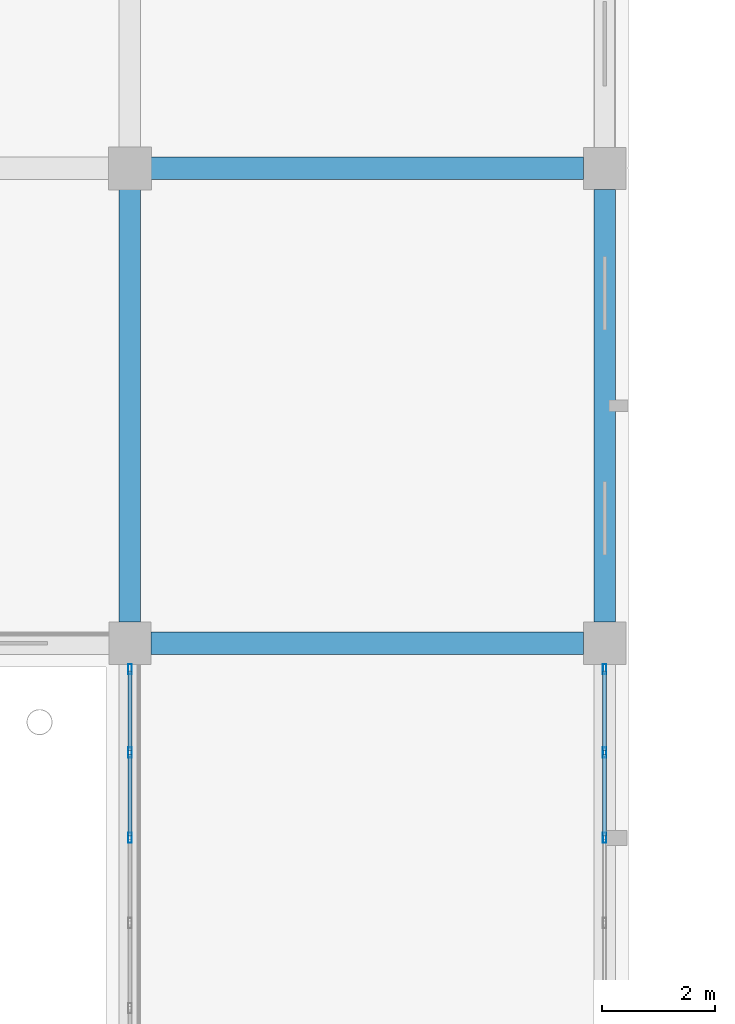
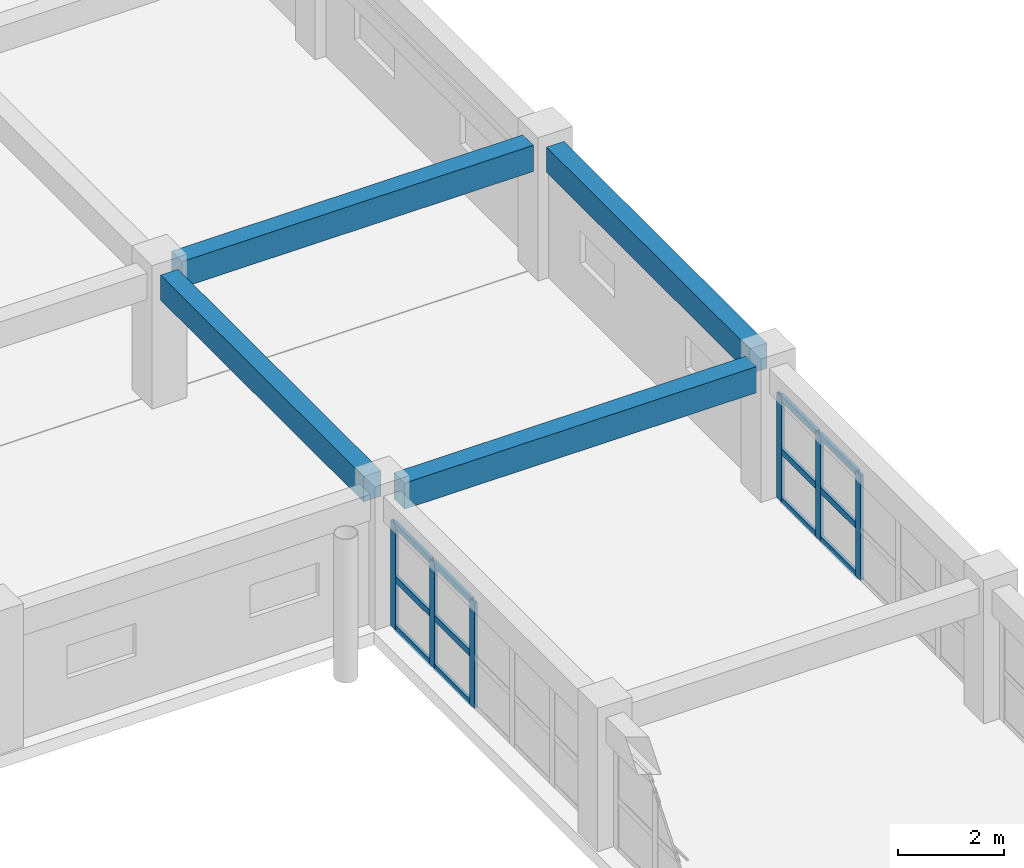
# One storey, part 143 of 200: 18 members, 4 beams, 2 elements without a shape of their own.
"""IFC4 building model written with IfcOpenShell, lengths in metres."""

import ifcopenshell
import ifcopenshell.guid

model = None  # the IFC model being written
_history = None  # IfcOwnerHistory: only IFC2X3 demands one
_inside = {}  # id of a spatial element -> (the spatial element, [elements in it])
_under = {}  # id of a project, library or spatial element -> (it, [spatial elements below it])
_declared = {}  # id of a project -> (the project, [libraries it declares])
_typed = {}  # id of a type object -> (the type object, [elements of that type])
_made_of = {}  # id of a material, layer set ... -> (it, [elements and type objects made of it])


def new_model(schema):
    """Start an empty IFC model of exactly this schema.

    Asked for "IFC4X3", IfcOpenShell would pick the latest addendum, in which some entities
    have other attributes; the version numbers below select the first issue.
    IFC2X3 requires an IfcOwnerHistory on every rooted entity: one is made here for all.
    """
    global model, _history
    if schema == "IFC4X3":
        model = ifcopenshell.file(schema_version=(4, 3, 0, 0))
    else:
        model = ifcopenshell.file(schema=schema)
    _inside.clear()
    _under.clear()
    _declared.clear()
    _typed.clear()
    _made_of.clear()
    _history = None
    if model.schema == "IFC2X3":
        org = make("IfcOrganization", Name="unknown")
        user = make(
            "IfcPersonAndOrganization",
            ThePerson=make("IfcPerson", FamilyName="unknown"),
            TheOrganization=org,
        )
        app = make(
            "IfcApplication",
            ApplicationDeveloper=org,
            Version="unknown",
            ApplicationFullName="unknown",
            ApplicationIdentifier="unknown",
        )
        _history = make(
            "IfcOwnerHistory",
            OwningUser=user,
            OwningApplication=app,
            ChangeAction="ADDED",
            CreationDate=0,
        )
    return model


def make(cls, **values):
    """One entity of the class cls with the attributes given. An attribute that is None is left unset."""
    return model.create_entity(
        cls, **{name: value for name, value in values.items() if value is not None}
    )


def rooted(cls, **values):
    """An entity with a GlobalId (a new one), such as an element, a storey or a relation."""
    return make(cls, GlobalId=ifcopenshell.guid.new(), OwnerHistory=_history, **values)


def si_unit(unit_type, name, prefix=None):
    """IfcSIUnit, for example si_unit("LENGTHUNIT", "METRE", prefix="MILLI")."""
    return make("IfcSIUnit", UnitType=unit_type, Prefix=prefix, Name=name)


def assignment(units):
    """IfcUnitAssignment: the units of a project."""
    return None if units is None else make("IfcUnitAssignment", Units=units)


def point(xyz):
    """IfcCartesianPoint."""
    return None if xyz is None else make("IfcCartesianPoint", Coordinates=xyz)


def direction(xyz):
    """IfcDirection."""
    return None if xyz is None else make("IfcDirection", DirectionRatios=xyz)


def frame(location, z_axis=None, x_axis=None):
    """IfcAxis2Placement3D, a coordinate frame: its origin and axes. An axis left out is left unset."""
    return make(
        "IfcAxis2Placement3D",
        Location=point(location),
        Axis=direction(z_axis),
        RefDirection=direction(x_axis),
    )


def frame_2d(location, x_axis=None):
    """IfcAxis2Placement2D, a coordinate frame in the plane: its origin and x axis."""
    return make(
        "IfcAxis2Placement2D", Location=point(location), RefDirection=direction(x_axis)
    )


def origin():
    """The frame at (0, 0, 0) with its axes left unset."""
    return frame((0.0, 0.0, 0.0))


def origin_2d():
    """The frame at (0, 0) in the plane with its x axis left unset."""
    return frame_2d((0.0, 0.0))


def place(relative_to, where):
    """IfcLocalPlacement: puts the frame where relative to a parent placement (None: the world)."""
    return make(
        "IfcLocalPlacement", PlacementRelTo=relative_to, RelativePlacement=where
    )


def context(
    kind, dimensions, precision=None, world=None, true_north=None, identifier=None
):
    """IfcGeometricRepresentationContext, for example the 3D "Model" context."""
    return make(
        "IfcGeometricRepresentationContext",
        ContextIdentifier=identifier,
        ContextType=kind,
        CoordinateSpaceDimension=dimensions,
        Precision=precision,
        WorldCoordinateSystem=world,
        TrueNorth=true_north,
    )


def subcontext(parent, identifier, kind, view, scale=None):
    """IfcGeometricRepresentationSubContext, for example "Body" below "Model"."""
    return make(
        "IfcGeometricRepresentationSubContext",
        ContextIdentifier=identifier,
        ContextType=kind,
        ParentContext=parent,
        TargetScale=scale,
        TargetView=view,
    )


def project(units=None, contexts=None):
    """IfcProject with its units and contexts."""
    return rooted(
        "IfcProject",
        Name="project",
        RepresentationContexts=contexts,
        UnitsInContext=assignment(units),
    )


def spatial(cls, under=None, at=None, **own):
    """A site, building, storey or space (cls), placed at a placement, below another one or the project."""
    s = rooted(cls, ObjectPlacement=at, **own)
    if under is not None:
        _under.setdefault(under.id(), (under, []))[1].append(s)
    return s


def profile(cls, at=None, kind="AREA", **sizes):
    """A parametric profile (cls). Its sizes go by their IFC names, for example OverallWidth=200.0."""
    return make(cls, ProfileType=kind, Position=at, **sizes)


def rectangle(**sizes):
    """IfcRectangleProfileDef."""
    return profile("IfcRectangleProfileDef", **sizes)


def hollow_rectangle(**sizes):
    """IfcRectangleHollowProfileDef."""
    return profile("IfcRectangleHollowProfileDef", **sizes)


def extrude(swept, where, along, depth):
    """IfcExtrudedAreaSolid: the profile swept, set in the frame where, extruded along a direction by depth."""
    return make(
        "IfcExtrudedAreaSolid",
        SweptArea=swept,
        Position=where,
        ExtrudedDirection=direction(along),
        Depth=depth,
    )


def shape(context_of_items, identifier, shape_type, items):
    """IfcShapeRepresentation: the items that make up one representation, for example the "Body"."""
    return make(
        "IfcShapeRepresentation",
        ContextOfItems=context_of_items,
        RepresentationIdentifier=identifier,
        RepresentationType=shape_type,
        Items=items,
    )


def material(Name=None, Category=None):
    """IfcMaterial."""
    return make("IfcMaterial", Name=Name, Category=Category)


def layer(
    of_material, thickness, ventilated=None, Name=None, Category=None, Priority=None
):
    """IfcMaterialLayer: one layer of a wall or slab, of a material (None: an air gap)."""
    return make(
        "IfcMaterialLayer",
        Material=of_material,
        LayerThickness=thickness,
        IsVentilated=ventilated,
        Name=Name,
        Category=Category,
        Priority=Priority,
    )


def layer_set(layers, Name=None):
    """IfcMaterialLayerSet."""
    return make("IfcMaterialLayerSet", MaterialLayers=layers, LayerSetName=Name)


def material_profile(
    of_material, cross_section, Name=None, Category=None, Priority=None
):
    """IfcMaterialProfile: a cross section and its material."""
    return make(
        "IfcMaterialProfile",
        Name=Name,
        Material=of_material,
        Profile=cross_section,
        Priority=Priority,
        Category=Category,
    )


def profile_set(profiles, Name=None, composite=None):
    """IfcMaterialProfileSet."""
    return make(
        "IfcMaterialProfileSet",
        Name=Name,
        MaterialProfiles=profiles,
        CompositeProfile=composite,
    )


def made_of(thing, what):
    """Note that an element or type object is made of a material, layer set ...; save() writes the relation."""
    if what is not None:
        _made_of.setdefault(what.id(), (what, []))[1].append(thing)
    return thing


def type_object(cls, material=None, **own):
    """A type object (cls), such as IfcWallType, which elements share."""
    return made_of(rooted(cls, **own), material)


def element(
    cls,
    number,
    at=None,
    inside=None,
    cuts=None,
    type_object=None,
    material=None,
    context=None,
    identifier="Body",
    shape_type=None,
    held_by="IfcProductDefinitionShape",
    body=None,
    shapes=None,
    **own,
):
    """One element of the class cls, such as IfcWall. Its Tag is "e" and its number.

    at: its placement. inside: the storey or other place that contains it. cuts: it is an
    opening in that element (IfcRelVoidsElement). A single representation is given by context,
    identifier, shape_type and body (its items); several are given by shapes. held_by: the class
    of the entity that holds the representations. save() writes the other relations.
    """
    e = rooted(cls, Tag="e%d" % number, ObjectPlacement=at, **own)
    if body is not None:
        shapes = [shape(context, identifier, shape_type, body)]
    if shapes is not None:
        e.Representation = make(held_by, Representations=shapes)
    if inside is not None:
        _inside.setdefault(inside.id(), (inside, []))[1].append(e)
    if cuts is not None:
        rooted(
            "IfcRelVoidsElement", RelatingBuildingElement=cuts, RelatedOpeningElement=e
        )
    if type_object is not None:
        _typed.setdefault(type_object.id(), (type_object, []))[1].append(e)
    return made_of(e, material)


def aggregate(whole, parts):
    """IfcRelAggregates: a whole, such as a stair, and the parts it consists of."""
    return rooted("IfcRelAggregates", RelatingObject=whole, RelatedObjects=parts)


def save(model, path):
    """Write the relations noted so far, then the file.

    IfcRelAggregates (storeys below a building ...), IfcRelContainedInSpatialStructure (elements
    in a storey), IfcRelDefinesByType, IfcRelAssociatesMaterial and IfcRelDeclares: one each for
    every whole, place, type object, material and project.
    """
    for whole, parts in _under.values():
        aggregate(whole, parts)
    for where, things in _inside.values():
        rooted(
            "IfcRelContainedInSpatialStructure",
            RelatedElements=things,
            RelatingStructure=where,
        )
    for kind, things in _typed.values():
        rooted("IfcRelDefinesByType", RelatedObjects=things, RelatingType=kind)
    for what, things in _made_of.values():
        rooted("IfcRelAssociatesMaterial", RelatedObjects=things, RelatingMaterial=what)
    for by, libraries in _declared.values():
        rooted("IfcRelDeclares", RelatingContext=by, RelatedDefinitions=libraries)
    model.write(path)


model = new_model("IFC4")

# Units and contexts
model_context = context("Model", 3, precision=1e-05, world=origin(), true_north=direction((0.0, 1.0)))
body_context = subcontext(model_context, "Body", "Model", "MODEL_VIEW")
ifc_project = project(units=[si_unit("LENGTHUNIT", "METRE"), si_unit("AREAUNIT", "SQUARE_METRE"), si_unit("VOLUMEUNIT", "CUBIC_METRE"), si_unit("PLANEANGLEUNIT", "RADIAN"), si_unit("MASSUNIT", "GRAM", prefix="KILO")], contexts=[model_context])

# Site, building, storey
site_placement = place(None, origin())
site = spatial("IfcSite", under=ifc_project, at=site_placement, CompositionType="ELEMENT")
building_placement = place(site_placement, origin())
building = spatial("IfcBuilding", under=site, at=building_placement, Name="Trelvath General Hospital", CompositionType="ELEMENT")
storey_placement = place(building_placement, frame((0.0, 0.0, 4.800048828125)))
storey = spatial("IfcBuildingStorey", under=building, at=storey_placement, Name="L01", CompositionType="ELEMENT", Elevation=4.800048828125)

# Beams
ifc_material_1 = material(Name="Concrete C35/45", Category="concrete")
ifc_material_profile_1 = material_profile(ifc_material_1, rectangle(XDim=0.3798828125, YDim=0.580078125, at=origin_2d()), Name="RCB380x580")
ifc_profile_set_1 = profile_set([ifc_material_profile_1], Name="Concrete C35/45")
beam_type_1 = type_object("IfcBeamType", Name="Beam RC380x580", PredefinedType="BEAM", material=ifc_profile_set_1)
beam_1_placement = place(storey_placement, frame((176.39990234375, 67.570068359375, 2.72998046875), z_axis=(0.0, 1.0, 0.0), x_axis=(-1.0, 0.0, 0.0)))
element("IfcBeam", 1, at=beam_1_placement, inside=storey, type_object=beam_type_1, Name="Grid Beam BY-121I", PredefinedType="BEAM", context=body_context, shape_type="SweptSolid", body=[
    extrude(rectangle(XDim=0.3798828125, YDim=0.580078125, at=origin_2d()), origin(), (0.0, 0.0, 1.0), 7.655029296875),
])
beam_2_placement = place(storey_placement, frame((184.800048828125, 67.570068359375, 2.72998046875), z_axis=(0.0, 1.0, 0.0), x_axis=(-1.0, 0.0, 0.0)))
element("IfcBeam", 2, at=beam_2_placement, inside=storey, type_object=beam_type_1, Name="Grid Beam BY-122I", PredefinedType="BEAM", context=body_context, shape_type="SweptSolid", body=[
    extrude(rectangle(XDim=0.3798828125, YDim=0.580078125, at=origin_2d()), origin(), (0.0, 0.0, 1.0), 7.659912109375),
])
ifc_material_2 = material(Name="Concrete C35/45", Category="concrete")
ifc_material_profile_2 = material_profile(ifc_material_2, rectangle(XDim=0.39990234375, YDim=0.60009765625, at=origin_2d()), Name="RCB400x600")
ifc_profile_set_2 = profile_set([ifc_material_profile_2], Name="Concrete C35/45")
beam_type_2 = type_object("IfcBeamType", Name="Beam RC400x600", PredefinedType="BEAM", material=ifc_profile_set_2)
beam_3_placement = place(storey_placement, frame((176.77001953125, 67.199951171875, 2.719970703125), z_axis=(1.0, 0.0, 0.0), x_axis=(0.0, 1.0, 0.0)))
element("IfcBeam", 3, at=beam_3_placement, inside=storey, type_object=beam_type_2, Name="Grid Beam BX-121I", PredefinedType="BEAM", context=body_context, shape_type="SweptSolid", body=[
    extrude(rectangle(XDim=0.39990234375, YDim=0.60009765625, at=origin_2d()), origin(), (0.0, 0.0, 1.0), 7.659912109375),
])
beam_4_placement = place(storey_placement, frame((176.77490234375, 75.60009765625, 2.719970703125), z_axis=(1.0, 0.0, 0.0), x_axis=(0.0, 1.0, 0.0)))
element("IfcBeam", 4, at=beam_4_placement, inside=storey, type_object=beam_type_2, Name="Grid Beam BX-121J", PredefinedType="BEAM", context=body_context, shape_type="SweptSolid", body=[
    extrude(rectangle(XDim=0.39990234375, YDim=0.60009765625, at=origin_2d()), origin(), (0.0, 0.0, 1.0), 7.655029296875),
])

# Curtain wall, members
ifc_material_3 = material(Name="Anodised aluminium and low-E glass", Category="aluminium")
ifc_layer = layer(ifc_material_3, 0.179931640625)
ifc_layer_set = layer_set([ifc_layer], Name="Anodised aluminium and low-E glass")
curtain_wall_type = type_object("IfcCurtainWallType", Name="CW Facade 754 242 18", PredefinedType="USERDEFINED", material=ifc_layer_set)
curtain_wall_1_placement = place(storey_placement, origin())
curtain_wall_1 = element("IfcCurtainWall", 5, at=curtain_wall_1_placement, inside=storey, type_object=curtain_wall_type, Name="Facade Curtain Wall CW-038", ObjectType="Unitised Glazed Curtain Wall", PredefinedType="USERDEFINED")
ifc_material_4 = material(Name="Anodised aluminium", Category="aluminium")
ifc_material_profile_3 = material_profile(ifc_material_4, hollow_rectangle(XDim=0.06494140625, YDim=0.179931640625, WallThickness=0.0048828125, at=origin_2d()), Name="RHS65x180x5")
ifc_profile_set_3 = profile_set([ifc_material_profile_3], Name="Anodised aluminium")
member_type_1 = type_object("IfcMemberType", Name="CurtainMullion 65x180", PredefinedType="MULLION", material=ifc_profile_set_3)
member_1_placement = place(storey_placement, frame((176.39990234375, 63.75390625, 0.0), z_axis=(0.0, 0.0, 1.0), x_axis=(-1.0, 0.0, 0.0)))
member_1 = element("IfcMember", 6, at=member_1_placement, type_object=member_type_1, Name="CW-038 mullion 4", PredefinedType="MULLION", context=body_context, shape_type="SweptSolid", body=[
    extrude(hollow_rectangle(XDim=0.06494140625, YDim=0.179931640625, WallThickness=0.0048828125, at=origin_2d()), origin(), (0.0, 0.0, 1.0), 2.419921875),
])
member_2_placement = place(storey_placement, frame((176.39990234375, 65.261962890625, 0.0), z_axis=(0.0, 0.0, 1.0), x_axis=(-1.0, 0.0, 0.0)))
member_2 = element("IfcMember", 7, at=member_2_placement, type_object=member_type_1, Name="CW-038 mullion 5", PredefinedType="MULLION", context=body_context, shape_type="SweptSolid", body=[
    extrude(hollow_rectangle(XDim=0.06494140625, YDim=0.179931640625, WallThickness=0.0048828125, at=origin_2d()), origin(), (0.0, 0.0, 1.0), 2.419921875),
])
member_3_placement = place(storey_placement, frame((176.39990234375, 66.737548828125, 0.0), z_axis=(0.0, 0.0, 1.0), x_axis=(-1.0, 0.0, 0.0)))
member_3 = element("IfcMember", 8, at=member_3_placement, type_object=member_type_1, Name="CW-038 mullion 6", PredefinedType="MULLION", context=body_context, shape_type="SweptSolid", body=[
    extrude(hollow_rectangle(XDim=0.06494140625, YDim=0.179931640625, WallThickness=0.0048828125, at=origin_2d()), origin(), (0.0, 0.0, 1.0), 2.419921875),
])

curtain_wall_2_placement = place(storey_placement, origin())
curtain_wall_2 = element("IfcCurtainWall", 9, at=curtain_wall_2_placement, inside=storey, type_object=curtain_wall_type, Name="Facade Curtain Wall CW-039", ObjectType="Unitised Glazed Curtain Wall", PredefinedType="USERDEFINED")
member_4_placement = place(storey_placement, frame((184.800048828125, 66.737548828125, 0.0), z_axis=(0.0, 0.0, 1.0), x_axis=(1.0, 0.0, 0.0)))
member_4 = element("IfcMember", 10, at=member_4_placement, type_object=member_type_1, Name="CW-039 mullion 1", PredefinedType="MULLION", context=body_context, shape_type="SweptSolid", body=[
    extrude(hollow_rectangle(XDim=0.06494140625, YDim=0.179931640625, WallThickness=0.0048828125, at=origin_2d()), origin(), (0.0, 0.0, 1.0), 2.419921875),
])
member_5_placement = place(storey_placement, frame((184.800048828125, 65.261962890625, 0.0), z_axis=(0.0, 0.0, 1.0), x_axis=(1.0, 0.0, 0.0)))
member_5 = element("IfcMember", 11, at=member_5_placement, type_object=member_type_1, Name="CW-039 mullion 2", PredefinedType="MULLION", context=body_context, shape_type="SweptSolid", body=[
    extrude(hollow_rectangle(XDim=0.06494140625, YDim=0.179931640625, WallThickness=0.0048828125, at=origin_2d()), origin(), (0.0, 0.0, 1.0), 2.419921875),
])
member_6_placement = place(storey_placement, frame((184.800048828125, 63.75390625, 0.0), z_axis=(0.0, 0.0, 1.0), x_axis=(1.0, 0.0, 0.0)))
member_6 = element("IfcMember", 12, at=member_6_placement, type_object=member_type_1, Name="CW-039 mullion 3", PredefinedType="MULLION", context=body_context, shape_type="SweptSolid", body=[
    extrude(hollow_rectangle(XDim=0.06494140625, YDim=0.179931640625, WallThickness=0.0048828125, at=origin_2d()), origin(), (0.0, 0.0, 1.0), 2.419921875),
])

# Member
ifc_material_5 = material(Name="Anodised aluminium", Category="aluminium")
ifc_material_profile_4 = material_profile(ifc_material_5, hollow_rectangle(XDim=0.06494140625, YDim=0.14501953125, WallThickness=0.00390625, at=origin_2d()), Name="RHS65x145x4")
ifc_profile_set_4 = profile_set([ifc_material_profile_4], Name="Anodised aluminium")
member_type_2 = type_object("IfcMemberType", Name="CurtainTransom 65x145", PredefinedType="USERDEFINED", material=ifc_profile_set_4)
member_7_placement = place(storey_placement, frame((176.39990234375, 63.78662109375, 0.032470703125), z_axis=(0.0, 1.0, 0.0), x_axis=(-1.0, 0.0, 0.0)))
member_7 = element("IfcMember", 13, at=member_7_placement, type_object=member_type_2, Name="CW-038 transom 4.1", ObjectType="TRANSOM", PredefinedType="USERDEFINED", context=body_context, shape_type="SweptSolid", body=[
    extrude(hollow_rectangle(XDim=0.06494140625, YDim=0.14501953125, WallThickness=0.00390625, at=origin_2d()), origin(), (0.0, 0.0, 1.0), 1.44287109375),
])

member_8_placement = place(storey_placement, frame((176.39990234375, 63.78662109375, 1.161865234375), z_axis=(0.0, 1.0, 0.0), x_axis=(-1.0, 0.0, 0.0)))
member_8 = element("IfcMember", 14, at=member_8_placement, type_object=member_type_2, Name="CW-038 transom 4.2", ObjectType="TRANSOM", PredefinedType="USERDEFINED", context=body_context, shape_type="SweptSolid", body=[
    extrude(hollow_rectangle(XDim=0.06494140625, YDim=0.14501953125, WallThickness=0.00390625, at=origin_2d()), origin(), (0.0, 0.0, 1.0), 1.44287109375),
])

member_9_placement = place(storey_placement, frame((176.39990234375, 63.78662109375, 2.387451171875), z_axis=(0.0, 1.0, 0.0), x_axis=(-1.0, 0.0, 0.0)))
member_9 = element("IfcMember", 15, at=member_9_placement, type_object=member_type_2, Name="CW-038 transom 4.3", ObjectType="TRANSOM", PredefinedType="USERDEFINED", context=body_context, shape_type="SweptSolid", body=[
    extrude(hollow_rectangle(XDim=0.06494140625, YDim=0.14501953125, WallThickness=0.00390625, at=origin_2d()), origin(), (0.0, 0.0, 1.0), 1.44287109375),
])

member_10_placement = place(storey_placement, frame((176.39990234375, 65.29443359375, 0.032470703125), z_axis=(0.0, 1.0, 0.0), x_axis=(-1.0, 0.0, 0.0)))
member_10 = element("IfcMember", 16, at=member_10_placement, type_object=member_type_2, Name="CW-038 transom 5.1", ObjectType="TRANSOM", PredefinedType="USERDEFINED", context=body_context, shape_type="SweptSolid", body=[
    extrude(hollow_rectangle(XDim=0.06494140625, YDim=0.14501953125, WallThickness=0.00390625, at=origin_2d()), origin(), (0.0, 0.0, 1.0), 1.41064453125),
])

member_11_placement = place(storey_placement, frame((176.39990234375, 65.29443359375, 1.161865234375), z_axis=(0.0, 1.0, 0.0), x_axis=(-1.0, 0.0, 0.0)))
member_11 = element("IfcMember", 17, at=member_11_placement, type_object=member_type_2, Name="CW-038 transom 5.2", ObjectType="TRANSOM", PredefinedType="USERDEFINED", context=body_context, shape_type="SweptSolid", body=[
    extrude(hollow_rectangle(XDim=0.06494140625, YDim=0.14501953125, WallThickness=0.00390625, at=origin_2d()), origin(), (0.0, 0.0, 1.0), 1.41064453125),
])

member_12_placement = place(storey_placement, frame((176.39990234375, 65.29443359375, 2.387451171875), z_axis=(0.0, 1.0, 0.0), x_axis=(-1.0, 0.0, 0.0)))
member_12 = element("IfcMember", 18, at=member_12_placement, type_object=member_type_2, Name="CW-038 transom 5.3", ObjectType="TRANSOM", PredefinedType="USERDEFINED", context=body_context, shape_type="SweptSolid", body=[
    extrude(hollow_rectangle(XDim=0.06494140625, YDim=0.14501953125, WallThickness=0.00390625, at=origin_2d()), origin(), (0.0, 0.0, 1.0), 1.41064453125),
])

aggregate(curtain_wall_1, [member_1, member_2, member_3, member_7, member_8, member_9, member_10, member_11, member_12])

member_13_placement = place(storey_placement, frame((184.800048828125, 66.705078125, 0.032470703125), z_axis=(0.0, -1.0, 0.0), x_axis=(1.0, 0.0, 0.0)))
member_13 = element("IfcMember", 19, at=member_13_placement, type_object=member_type_2, Name="CW-039 transom 1.1", ObjectType="TRANSOM", PredefinedType="USERDEFINED", context=body_context, shape_type="SweptSolid", body=[
    extrude(hollow_rectangle(XDim=0.06494140625, YDim=0.14501953125, WallThickness=0.00390625, at=origin_2d()), origin(), (0.0, 0.0, 1.0), 1.41064453125),
])

member_14_placement = place(storey_placement, frame((184.800048828125, 66.705078125, 1.161865234375), z_axis=(0.0, -1.0, 0.0), x_axis=(1.0, 0.0, 0.0)))
member_14 = element("IfcMember", 20, at=member_14_placement, type_object=member_type_2, Name="CW-039 transom 1.2", ObjectType="TRANSOM", PredefinedType="USERDEFINED", context=body_context, shape_type="SweptSolid", body=[
    extrude(hollow_rectangle(XDim=0.06494140625, YDim=0.14501953125, WallThickness=0.00390625, at=origin_2d()), origin(), (0.0, 0.0, 1.0), 1.41064453125),
])

member_15_placement = place(storey_placement, frame((184.800048828125, 66.705078125, 2.387451171875), z_axis=(0.0, -1.0, 0.0), x_axis=(1.0, 0.0, 0.0)))
member_15 = element("IfcMember", 21, at=member_15_placement, type_object=member_type_2, Name="CW-039 transom 1.3", ObjectType="TRANSOM", PredefinedType="USERDEFINED", context=body_context, shape_type="SweptSolid", body=[
    extrude(hollow_rectangle(XDim=0.06494140625, YDim=0.14501953125, WallThickness=0.00390625, at=origin_2d()), origin(), (0.0, 0.0, 1.0), 1.41064453125),
])

member_16_placement = place(storey_placement, frame((184.800048828125, 65.2294921875, 0.032470703125), z_axis=(0.0, -1.0, 0.0), x_axis=(1.0, 0.0, 0.0)))
member_16 = element("IfcMember", 22, at=member_16_placement, type_object=member_type_2, Name="CW-039 transom 2.1", ObjectType="TRANSOM", PredefinedType="USERDEFINED", context=body_context, shape_type="SweptSolid", body=[
    extrude(hollow_rectangle(XDim=0.06494140625, YDim=0.14501953125, WallThickness=0.00390625, at=origin_2d()), origin(), (0.0, 0.0, 1.0), 1.44287109375),
])

member_17_placement = place(storey_placement, frame((184.800048828125, 65.2294921875, 1.161865234375), z_axis=(0.0, -1.0, 0.0), x_axis=(1.0, 0.0, 0.0)))
member_17 = element("IfcMember", 23, at=member_17_placement, type_object=member_type_2, Name="CW-039 transom 2.2", ObjectType="TRANSOM", PredefinedType="USERDEFINED", context=body_context, shape_type="SweptSolid", body=[
    extrude(hollow_rectangle(XDim=0.06494140625, YDim=0.14501953125, WallThickness=0.00390625, at=origin_2d()), origin(), (0.0, 0.0, 1.0), 1.44287109375),
])

member_18_placement = place(storey_placement, frame((184.800048828125, 65.2294921875, 2.387451171875), z_axis=(0.0, -1.0, 0.0), x_axis=(1.0, 0.0, 0.0)))
member_18 = element("IfcMember", 24, at=member_18_placement, type_object=member_type_2, Name="CW-039 transom 2.3", ObjectType="TRANSOM", PredefinedType="USERDEFINED", context=body_context, shape_type="SweptSolid", body=[
    extrude(hollow_rectangle(XDim=0.06494140625, YDim=0.14501953125, WallThickness=0.00390625, at=origin_2d()), origin(), (0.0, 0.0, 1.0), 1.44287109375),
])

aggregate(curtain_wall_2, [member_4, member_5, member_6, member_13, member_14, member_15, member_16, member_17, member_18])

save(model, "model.ifc")
